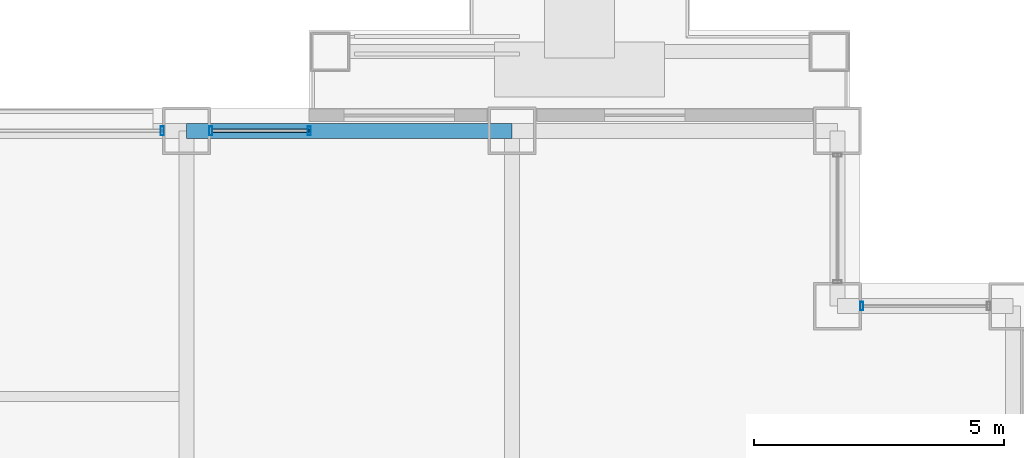
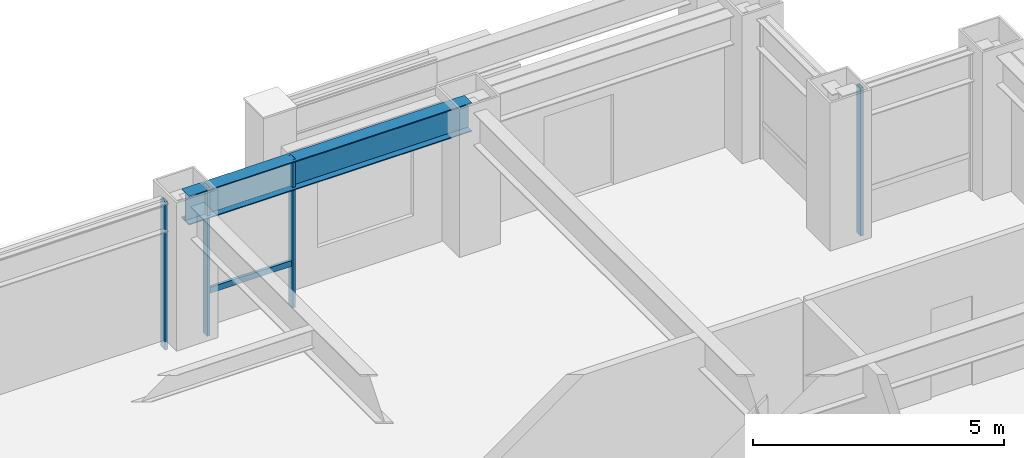
# One storey, part 21 of 31: 5 members, 1 beam, 3 elements without a shape of their own.
"""IFC4 building model written with IfcOpenShell, lengths in metres."""

from ifc_helpers import new_model, si_unit, direction, frame, origin, origin_2d, place, context, subcontext, project, spatial, hollow_rectangle, i_section, extrude, material, layer, layer_set, material_profile, profile_set, type_object, element, aggregate, save


model = new_model("IFC4")

# Units and contexts
model_context = context("Model", 3, precision=1e-05, world=origin(), true_north=direction((0.0, 1.0)))
body_context = subcontext(model_context, "Body", "Model", "MODEL_VIEW")
ifc_project = project(units=[si_unit("LENGTHUNIT", "METRE"), si_unit("AREAUNIT", "SQUARE_METRE"), si_unit("VOLUMEUNIT", "CUBIC_METRE"), si_unit("PLANEANGLEUNIT", "RADIAN"), si_unit("MASSUNIT", "GRAM", prefix="KILO")], contexts=[model_context])

# Site, building, storey
site_placement = place(None, origin())
site = spatial("IfcSite", under=ifc_project, at=site_placement, CompositionType="ELEMENT")
building_placement = place(site_placement, origin())
building = spatial("IfcBuilding", under=site, at=building_placement, Name="Brelmoor Portico Tower", CompositionType="ELEMENT")
storey_placement = place(building_placement, frame((0.0, 0.0, 27.60009765625)))
storey = spatial("IfcBuildingStorey", under=building, at=storey_placement, Name="L06", CompositionType="ELEMENT", Elevation=27.60009765625)

# Beam
ifc_material_1 = material(Name="Steel Q355B", Category="steel")
ifc_material_profile_1 = material_profile(ifc_material_1, i_section(OverallWidth=0.300048828125, OverallDepth=0.699951171875, WebThickness=0.012939453125, FlangeThickness=0.02392578125, at=origin_2d()), Name="HN 700x300x13x24")
ifc_profile_set_1 = profile_set([ifc_material_profile_1], Name="Steel Q355B")
beam_type = type_object("IfcBeamType", Name="BM-SP-700", PredefinedType="SPANDREL", material=ifc_profile_set_1)
beam_placement = place(storey_placement, frame((8.050048828125, 21.550048828125, 3.0498046875), z_axis=(1.0, 0.0, 0.0), x_axis=(0.0, 1.0, 0.0)))
element("IfcBeam", 1, at=beam_placement, inside=storey, type_object=beam_type, Name="L06 Perimeter Spandrel Beam SP-13", PredefinedType="SPANDREL", context=body_context, shape_type="SweptSolid", body=[
    extrude(i_section(OverallWidth=0.300048828125, OverallDepth=0.699951171875, WebThickness=0.012939453125, FlangeThickness=0.02392578125, at=origin_2d()), origin(), (0.0, 0.0, 1.0), 6.5),
])

# Curtain wall, member
ifc_material_2 = material(Name="Anodised Aluminium Alloy 6063-T6", Category="aluminium")
ifc_layer_1 = layer(ifc_material_2, 0.179931640625)
ifc_layer_set_1 = layer_set([ifc_layer_1], Name="Anodised Aluminium Alloy 6063-T6")
curtain_wall_type_1 = type_object("IfcCurtainWallType", Name="CW-NOTCH-CHAMFER", PredefinedType="NOTDEFINED", material=ifc_layer_set_1)
curtain_wall_1_placement = place(storey_placement, origin())
curtain_wall_1 = element("IfcCurtainWall", 2, at=curtain_wall_1_placement, inside=storey, type_object=curtain_wall_type_1, Name="L06 Curtain Wall CWN-L06-NEH", PredefinedType="NOTDEFINED")
ifc_material_profile_2 = material_profile(ifc_material_2, hollow_rectangle(XDim=0.06494140625, YDim=0.1650390625, WallThickness=0.00390625, at=origin_2d()), Name="ALU MULLION 65x165")
ifc_profile_set_2 = profile_set([ifc_material_profile_2], Name="Anodised Aluminium Alloy 6063-T6")
member_type_1 = type_object("IfcMemberType", Name="MB-CW-MULL-165", PredefinedType="MULLION", material=ifc_profile_set_2)
member_1_placement = place(storey_placement, frame((21.534912109375, 18.050048828125, -0.2001953125), z_axis=(0.0, 0.0, 1.0), x_axis=(1.0, 0.0, 0.0)))
member_1 = element("IfcMember", 3, at=member_1_placement, type_object=member_type_1, Name="CWN-L06-NEH Mullion 00", PredefinedType="MULLION", context=body_context, shape_type="SweptSolid", body=[
    extrude(hollow_rectangle(XDim=0.06494140625, YDim=0.1650390625, WallThickness=0.00390625, at=origin_2d()), origin(), (0.0, 0.0, 1.0), 3.60009765625),
])
aggregate(curtain_wall_1, [member_1])

ifc_layer_2 = layer(ifc_material_2, 0.179931640625)
ifc_layer_set_2 = layer_set([ifc_layer_2], Name="Anodised Aluminium Alloy 6063-T6")
curtain_wall_type_2 = type_object("IfcCurtainWallType", Name="CW-TOWER-Z1-XB", PredefinedType="NOTDEFINED", material=ifc_layer_set_2)
curtain_wall_2_placement = place(storey_placement, origin())
curtain_wall_2 = element("IfcCurtainWall", 4, at=curtain_wall_2_placement, inside=storey, type_object=curtain_wall_type_2, Name="L06 Curtain Wall CW-L06-2L-3", PredefinedType="NOTDEFINED")
ifc_material_profile_3 = material_profile(ifc_material_2, hollow_rectangle(XDim=0.06494140625, YDim=0.179931640625, WallThickness=0.00390625, at=origin_2d()), Name="ALU MULLION 65x180")
ifc_profile_set_3 = profile_set([ifc_material_profile_3], Name="Anodised Aluminium Alloy 6063-T6")
member_type_2 = type_object("IfcMemberType", Name="MB-CW-MULL-180", PredefinedType="MULLION", material=ifc_profile_set_3)
member_2_placement = place(storey_placement, frame((7.56494140625, 21.550048828125, -0.2001953125), z_axis=(0.0, 0.0, 1.0), x_axis=(1.0, 0.0, 0.0)))
member_2 = element("IfcMember", 5, at=member_2_placement, type_object=member_type_2, Name="CW-L06-2L-3 Mullion 01", PredefinedType="MULLION", context=body_context, shape_type="SweptSolid", body=[
    extrude(hollow_rectangle(XDim=0.06494140625, YDim=0.179931640625, WallThickness=0.00390625, at=origin_2d()), origin(), (0.0, 0.0, 1.0), 3.60009765625),
])
aggregate(curtain_wall_2, [member_2])

# Curtain wall, members
ifc_layer_3 = layer(ifc_material_2, 0.179931640625)
ifc_layer_set_3 = layer_set([ifc_layer_3], Name="Anodised Aluminium Alloy 6063-T6")
curtain_wall_type_3 = type_object("IfcCurtainWallType", Name="CW-TOWER-Z1", PredefinedType="NOTDEFINED", material=ifc_layer_set_3)
curtain_wall_3_placement = place(storey_placement, origin())
curtain_wall_3 = element("IfcCurtainWall", 6, at=curtain_wall_3_placement, inside=storey, type_object=curtain_wall_type_3, Name="L06 Curtain Wall CW-L06-2L-4", PredefinedType="NOTDEFINED")
member_3_placement = place(storey_placement, frame((8.534912109375, 21.550048828125, -0.2001953125), z_axis=(0.0, 0.0, 1.0), x_axis=(1.0, 0.0, 0.0)))
member_3 = element("IfcMember", 7, at=member_3_placement, type_object=member_type_2, Name="CW-L06-2L-4 Mullion 00", PredefinedType="MULLION", context=body_context, shape_type="SweptSolid", body=[
    extrude(hollow_rectangle(XDim=0.06494140625, YDim=0.179931640625, WallThickness=0.00390625, at=origin_2d()), origin(), (0.0, 0.0, 1.0), 3.60009765625),
])
member_4_placement = place(storey_placement, frame((10.5, 21.550048828125, -0.2001953125), z_axis=(0.0, 0.0, 1.0), x_axis=(1.0, 0.0, 0.0)))
member_4 = element("IfcMember", 8, at=member_4_placement, type_object=member_type_2, Name="CW-L06-2L-4 Mullion 01", PredefinedType="MULLION", context=body_context, shape_type="SweptSolid", body=[
    extrude(hollow_rectangle(XDim=0.06494140625, YDim=0.179931640625, WallThickness=0.00390625, at=origin_2d()), origin(), (0.0, 0.0, 1.0), 3.60009765625),
])
ifc_material_profile_4 = material_profile(ifc_material_2, hollow_rectangle(XDim=0.06494140625, YDim=0.139892578125, WallThickness=0.00390625, at=origin_2d()), Name="ALU TRANSOM 65x140")
ifc_profile_set_4 = profile_set([ifc_material_profile_4], Name="Anodised Aluminium Alloy 6063-T6")
member_type_3 = type_object("IfcMemberType", Name="MB-CW-TRAN-140", PredefinedType="USERDEFINED", material=ifc_profile_set_4)
member_5_placement = place(storey_placement, frame((8.534912109375, 21.550048828125, 0.849853515625), z_axis=(1.0, 0.0, 0.0), x_axis=(0.0, 1.0, 0.0)))
member_5 = element("IfcMember", 9, at=member_5_placement, type_object=member_type_3, Name="CW-L06-2L-4 Transom 1-00", ObjectType="TRANSOM", PredefinedType="USERDEFINED", context=body_context, shape_type="SweptSolid", body=[
    extrude(hollow_rectangle(XDim=0.06494140625, YDim=0.139892578125, WallThickness=0.00390625, at=origin_2d()), origin(), (0.0, 0.0, 1.0), 1.965087890625),
])
aggregate(curtain_wall_3, [member_3, member_4, member_5])

save(model, "model.ifc")
